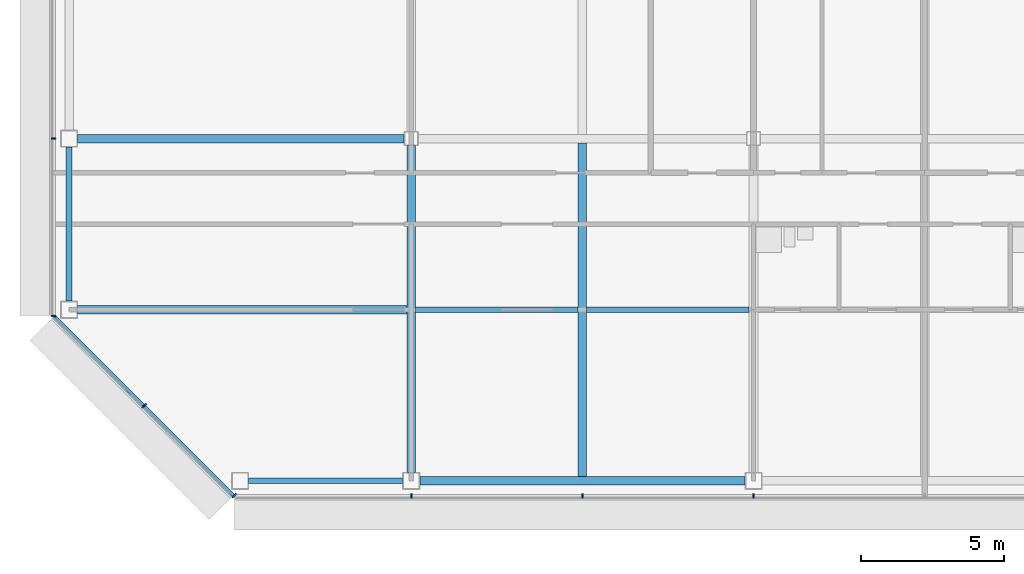
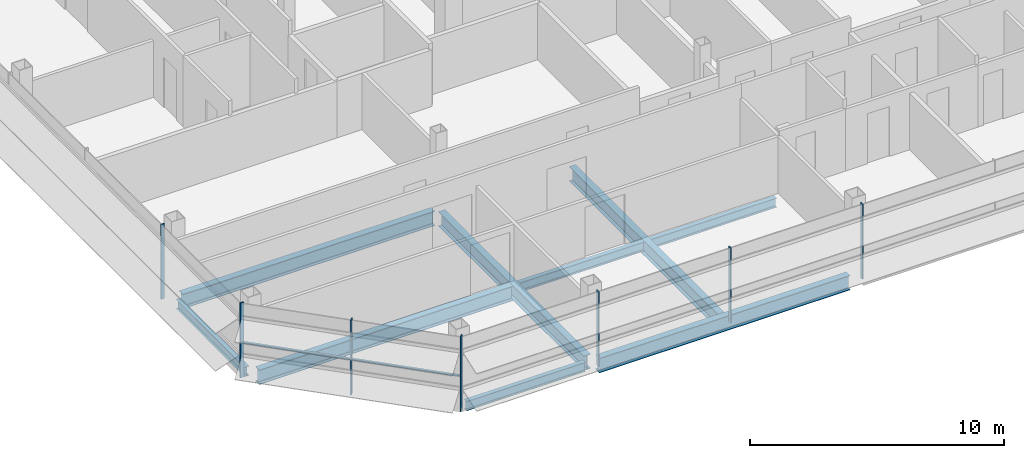
# One storey, part 3 of 28: 9 beams, 8 members, 3 elements without a shape of their own.
"""IFC4 building model written with IfcOpenShell, lengths in metres."""

import ifcopenshell
import ifcopenshell.guid

model = None  # the IFC model being written
_history = None  # IfcOwnerHistory: only IFC2X3 demands one
_inside = {}  # id of a spatial element -> (the spatial element, [elements in it])
_under = {}  # id of a project, library or spatial element -> (it, [spatial elements below it])
_declared = {}  # id of a project -> (the project, [libraries it declares])
_typed = {}  # id of a type object -> (the type object, [elements of that type])
_made_of = {}  # id of a material, layer set ... -> (it, [elements and type objects made of it])


def new_model(schema):
    """Start an empty IFC model of exactly this schema.

    Asked for "IFC4X3", IfcOpenShell would pick the latest addendum, in which some entities
    have other attributes; the version numbers below select the first issue.
    IFC2X3 requires an IfcOwnerHistory on every rooted entity: one is made here for all.
    """
    global model, _history
    if schema == "IFC4X3":
        model = ifcopenshell.file(schema_version=(4, 3, 0, 0))
    else:
        model = ifcopenshell.file(schema=schema)
    _inside.clear()
    _under.clear()
    _declared.clear()
    _typed.clear()
    _made_of.clear()
    _history = None
    if model.schema == "IFC2X3":
        org = make("IfcOrganization", Name="unknown")
        user = make(
            "IfcPersonAndOrganization",
            ThePerson=make("IfcPerson", FamilyName="unknown"),
            TheOrganization=org,
        )
        app = make(
            "IfcApplication",
            ApplicationDeveloper=org,
            Version="unknown",
            ApplicationFullName="unknown",
            ApplicationIdentifier="unknown",
        )
        _history = make(
            "IfcOwnerHistory",
            OwningUser=user,
            OwningApplication=app,
            ChangeAction="ADDED",
            CreationDate=0,
        )
    return model


def make(cls, **values):
    """One entity of the class cls with the attributes given. An attribute that is None is left unset."""
    return model.create_entity(
        cls, **{name: value for name, value in values.items() if value is not None}
    )


def rooted(cls, **values):
    """An entity with a GlobalId (a new one), such as an element, a storey or a relation."""
    return make(cls, GlobalId=ifcopenshell.guid.new(), OwnerHistory=_history, **values)


def si_unit(unit_type, name, prefix=None):
    """IfcSIUnit, for example si_unit("LENGTHUNIT", "METRE", prefix="MILLI")."""
    return make("IfcSIUnit", UnitType=unit_type, Prefix=prefix, Name=name)


def assignment(units):
    """IfcUnitAssignment: the units of a project."""
    return None if units is None else make("IfcUnitAssignment", Units=units)


def point(xyz):
    """IfcCartesianPoint."""
    return None if xyz is None else make("IfcCartesianPoint", Coordinates=xyz)


def direction(xyz):
    """IfcDirection."""
    return None if xyz is None else make("IfcDirection", DirectionRatios=xyz)


def frame(location, z_axis=None, x_axis=None):
    """IfcAxis2Placement3D, a coordinate frame: its origin and axes. An axis left out is left unset."""
    return make(
        "IfcAxis2Placement3D",
        Location=point(location),
        Axis=direction(z_axis),
        RefDirection=direction(x_axis),
    )


def frame_2d(location, x_axis=None):
    """IfcAxis2Placement2D, a coordinate frame in the plane: its origin and x axis."""
    return make(
        "IfcAxis2Placement2D", Location=point(location), RefDirection=direction(x_axis)
    )


def origin():
    """The frame at (0, 0, 0) with its axes left unset."""
    return frame((0.0, 0.0, 0.0))


def origin_2d():
    """The frame at (0, 0) in the plane with its x axis left unset."""
    return frame_2d((0.0, 0.0))


def place(relative_to, where):
    """IfcLocalPlacement: puts the frame where relative to a parent placement (None: the world)."""
    return make(
        "IfcLocalPlacement", PlacementRelTo=relative_to, RelativePlacement=where
    )


def context(
    kind, dimensions, precision=None, world=None, true_north=None, identifier=None
):
    """IfcGeometricRepresentationContext, for example the 3D "Model" context."""
    return make(
        "IfcGeometricRepresentationContext",
        ContextIdentifier=identifier,
        ContextType=kind,
        CoordinateSpaceDimension=dimensions,
        Precision=precision,
        WorldCoordinateSystem=world,
        TrueNorth=true_north,
    )


def subcontext(parent, identifier, kind, view, scale=None):
    """IfcGeometricRepresentationSubContext, for example "Body" below "Model"."""
    return make(
        "IfcGeometricRepresentationSubContext",
        ContextIdentifier=identifier,
        ContextType=kind,
        ParentContext=parent,
        TargetScale=scale,
        TargetView=view,
    )


def project(units=None, contexts=None):
    """IfcProject with its units and contexts."""
    return rooted(
        "IfcProject",
        Name="project",
        RepresentationContexts=contexts,
        UnitsInContext=assignment(units),
    )


def spatial(cls, under=None, at=None, **own):
    """A site, building, storey or space (cls), placed at a placement, below another one or the project."""
    s = rooted(cls, ObjectPlacement=at, **own)
    if under is not None:
        _under.setdefault(under.id(), (under, []))[1].append(s)
    return s


def profile(cls, at=None, kind="AREA", **sizes):
    """A parametric profile (cls). Its sizes go by their IFC names, for example OverallWidth=200.0."""
    return make(cls, ProfileType=kind, Position=at, **sizes)


def rectangle(**sizes):
    """IfcRectangleProfileDef."""
    return profile("IfcRectangleProfileDef", **sizes)


def i_section(**sizes):
    """IfcIShapeProfileDef."""
    return profile("IfcIShapeProfileDef", **sizes)


def extrude(swept, where, along, depth):
    """IfcExtrudedAreaSolid: the profile swept, set in the frame where, extruded along a direction by depth."""
    return make(
        "IfcExtrudedAreaSolid",
        SweptArea=swept,
        Position=where,
        ExtrudedDirection=direction(along),
        Depth=depth,
    )


def shape(context_of_items, identifier, shape_type, items):
    """IfcShapeRepresentation: the items that make up one representation, for example the "Body"."""
    return make(
        "IfcShapeRepresentation",
        ContextOfItems=context_of_items,
        RepresentationIdentifier=identifier,
        RepresentationType=shape_type,
        Items=items,
    )


def material(Name=None, Category=None):
    """IfcMaterial."""
    return make("IfcMaterial", Name=Name, Category=Category)


def material_profile(
    of_material, cross_section, Name=None, Category=None, Priority=None
):
    """IfcMaterialProfile: a cross section and its material."""
    return make(
        "IfcMaterialProfile",
        Name=Name,
        Material=of_material,
        Profile=cross_section,
        Priority=Priority,
        Category=Category,
    )


def profile_set(profiles, Name=None, composite=None):
    """IfcMaterialProfileSet."""
    return make(
        "IfcMaterialProfileSet",
        Name=Name,
        MaterialProfiles=profiles,
        CompositeProfile=composite,
    )


def made_of(thing, what):
    """Note that an element or type object is made of a material, layer set ...; save() writes the relation."""
    if what is not None:
        _made_of.setdefault(what.id(), (what, []))[1].append(thing)
    return thing


def type_object(cls, material=None, **own):
    """A type object (cls), such as IfcWallType, which elements share."""
    return made_of(rooted(cls, **own), material)


def element(
    cls,
    number,
    at=None,
    inside=None,
    cuts=None,
    type_object=None,
    material=None,
    context=None,
    identifier="Body",
    shape_type=None,
    held_by="IfcProductDefinitionShape",
    body=None,
    shapes=None,
    **own,
):
    """One element of the class cls, such as IfcWall. Its Tag is "e" and its number.

    at: its placement. inside: the storey or other place that contains it. cuts: it is an
    opening in that element (IfcRelVoidsElement). A single representation is given by context,
    identifier, shape_type and body (its items); several are given by shapes. held_by: the class
    of the entity that holds the representations. save() writes the other relations.
    """
    e = rooted(cls, Tag="e%d" % number, ObjectPlacement=at, **own)
    if body is not None:
        shapes = [shape(context, identifier, shape_type, body)]
    if shapes is not None:
        e.Representation = make(held_by, Representations=shapes)
    if inside is not None:
        _inside.setdefault(inside.id(), (inside, []))[1].append(e)
    if cuts is not None:
        rooted(
            "IfcRelVoidsElement", RelatingBuildingElement=cuts, RelatedOpeningElement=e
        )
    if type_object is not None:
        _typed.setdefault(type_object.id(), (type_object, []))[1].append(e)
    return made_of(e, material)


def aggregate(whole, parts):
    """IfcRelAggregates: a whole, such as a stair, and the parts it consists of."""
    return rooted("IfcRelAggregates", RelatingObject=whole, RelatedObjects=parts)


def save(model, path):
    """Write the relations noted so far, then the file.

    IfcRelAggregates (storeys below a building ...), IfcRelContainedInSpatialStructure (elements
    in a storey), IfcRelDefinesByType, IfcRelAssociatesMaterial and IfcRelDeclares: one each for
    every whole, place, type object, material and project.
    """
    for whole, parts in _under.values():
        aggregate(whole, parts)
    for where, things in _inside.values():
        rooted(
            "IfcRelContainedInSpatialStructure",
            RelatedElements=things,
            RelatingStructure=where,
        )
    for kind, things in _typed.values():
        rooted("IfcRelDefinesByType", RelatedObjects=things, RelatingType=kind)
    for what, things in _made_of.values():
        rooted("IfcRelAssociatesMaterial", RelatedObjects=things, RelatingMaterial=what)
    for by, libraries in _declared.values():
        rooted("IfcRelDeclares", RelatingContext=by, RelatedDefinitions=libraries)
    model.write(path)


model = new_model("IFC4")

# Units and contexts
model_context = context("Model", 3, precision=1e-05, world=origin(), true_north=direction((0.0, 1.0)))
body_context = subcontext(model_context, "Body", "Model", "MODEL_VIEW")
ifc_project = project(units=[si_unit("LENGTHUNIT", "METRE"), si_unit("AREAUNIT", "SQUARE_METRE"), si_unit("VOLUMEUNIT", "CUBIC_METRE"), si_unit("PLANEANGLEUNIT", "RADIAN"), si_unit("MASSUNIT", "GRAM", prefix="KILO")], contexts=[model_context])

# Site, building, storey
site_placement = place(None, origin())
site = spatial("IfcSite", under=ifc_project, at=site_placement, CompositionType="ELEMENT")
building_placement = place(site_placement, origin())
building = spatial("IfcBuilding", under=site, at=building_placement, Name="Sorahane Residences", CompositionType="ELEMENT")
storey_placement = place(building_placement, frame((0.0, 0.0, 250.39990234375)))
storey = spatial("IfcBuildingStorey", under=building, at=storey_placement, Name="L59", CompositionType="ELEMENT", Elevation=250.39990234375)

# Curtain wall, members
ifc_material_1 = material(Name="Dark low-e glass and black anodised aluminium", Category="aluminium")
curtain_wall_type_1 = type_object("IfcCurtainWallType", Name="Curtain wall CW-1 Typical unitised wall", PredefinedType="NOTDEFINED", material=ifc_material_1)
curtain_wall_1_placement = place(storey_placement, origin())
curtain_wall_1 = element("IfcCurtainWall", 1, at=curtain_wall_1_placement, inside=storey, type_object=curtain_wall_type_1, Name="CW-1 curtain wall L59 S1", PredefinedType="NOTDEFINED")
ifc_material_2 = material(Name="Black anodised aluminium", Category="aluminium")
ifc_material_profile_1 = material_profile(ifc_material_2, rectangle(XDim=0.159912109375, YDim=0.050048828125, at=origin_2d()), Name="Curtain wall mullion CW-1 black anodised aluminium 50x160")
ifc_profile_set_1 = profile_set([ifc_material_profile_1], Name="Black anodised aluminium")
member_type_1 = type_object("IfcMemberType", Name="Curtain wall mullion CW-1 black anodised aluminium 50x160", PredefinedType="MULLION", material=ifc_profile_set_1)
member_1_placement = place(storey_placement, frame((0.0, -0.5400390625, -0.179931640625), z_axis=(0.0, 0.0, 1.0), x_axis=(0.0, -1.0, 0.0)))
member_1 = element("IfcMember", 2, at=member_1_placement, type_object=member_type_1, Name="CW-1 mullion L59 S1.2", PredefinedType="MULLION", context=body_context, shape_type="SweptSolid", body=[
    extrude(rectangle(XDim=0.159912109375, YDim=0.050048828125, at=origin_2d()), origin(), (0.0, 0.0, 1.0), 3.60009765625),
])
member_2_placement = place(storey_placement, frame((6.0, -0.5400390625, -0.179931640625), z_axis=(0.0, 0.0, 1.0), x_axis=(0.0, -1.0, 0.0)))
member_2 = element("IfcMember", 3, at=member_2_placement, type_object=member_type_1, Name="CW-1 mullion L59 S1.3", PredefinedType="MULLION", context=body_context, shape_type="SweptSolid", body=[
    extrude(rectangle(XDim=0.159912109375, YDim=0.050048828125, at=origin_2d()), origin(), (0.0, 0.0, 1.0), 3.60009765625),
])
member_3_placement = place(storey_placement, frame((12.0, -0.5400390625, -0.179931640625), z_axis=(0.0, 0.0, 1.0), x_axis=(0.0, -1.0, 0.0)))
member_3 = element("IfcMember", 4, at=member_3_placement, type_object=member_type_1, Name="CW-1 mullion L59 S1.4", PredefinedType="MULLION", context=body_context, shape_type="SweptSolid", body=[
    extrude(rectangle(XDim=0.159912109375, YDim=0.050048828125, at=origin_2d()), origin(), (0.0, 0.0, 1.0), 3.60009765625),
])
aggregate(curtain_wall_1, [member_1, member_2, member_3])

curtain_wall_2_placement = place(storey_placement, origin())
curtain_wall_2 = element("IfcCurtainWall", 5, at=curtain_wall_2_placement, inside=storey, type_object=curtain_wall_type_1, Name="CW-1 curtain wall L59 W1", PredefinedType="NOTDEFINED")
member_4_placement = place(storey_placement, frame((-12.5400390625, 12.0, -0.179931640625), z_axis=(0.0, 0.0, 1.0), x_axis=(-1.0, 0.0, 0.0)))
member_4 = element("IfcMember", 6, at=member_4_placement, type_object=member_type_1, Name="CW-1 mullion L59 W1.6", PredefinedType="MULLION", context=body_context, shape_type="SweptSolid", body=[
    extrude(rectangle(XDim=0.159912109375, YDim=0.050048828125, at=origin_2d()), origin(), (0.0, 0.0, 1.0), 3.60009765625),
])
member_5_placement = place(storey_placement, frame((-12.5400390625, 5.7763671875, -0.179931640625), z_axis=(0.0, 0.0, 1.0), x_axis=(-1.0, 0.0, 0.0)))
member_5 = element("IfcMember", 7, at=member_5_placement, type_object=member_type_1, Name="CW-1 mullion L59 W1.7", PredefinedType="MULLION", context=body_context, shape_type="SweptSolid", body=[
    extrude(rectangle(XDim=0.159912109375, YDim=0.050048828125, at=origin_2d()), origin(), (0.0, 0.0, 1.0), 3.60009765625),
])
aggregate(curtain_wall_2, [member_4, member_5])

ifc_material_3 = material(Name="Dark low-e glass and black anodised aluminium", Category="aluminium")
curtain_wall_type_2 = type_object("IfcCurtainWallType", Name="Curtain wall CW-2 Chamfer unitised wall", PredefinedType="NOTDEFINED", material=ifc_material_3)
curtain_wall_3_placement = place(storey_placement, origin())
curtain_wall_3 = element("IfcCurtainWall", 8, at=curtain_wall_3_placement, inside=storey, type_object=curtain_wall_type_2, Name="CW-2 curtain wall L59 SW1", PredefinedType="NOTDEFINED")
ifc_material_4 = material(Name="Black anodised aluminium", Category="aluminium")
ifc_material_profile_2 = material_profile(ifc_material_4, rectangle(XDim=0.199951171875, YDim=0.050048828125, at=origin_2d()), Name="Curtain wall mullion CW-2 black anodised aluminium 50x200")
ifc_profile_set_2 = profile_set([ifc_material_profile_2], Name="Black anodised aluminium")
member_type_2 = type_object("IfcMemberType", Name="Curtain wall mullion CW-2 black anodised aluminium 50x200", PredefinedType="MULLION", material=ifc_profile_set_2)
member_6_placement = place(storey_placement, frame((-9.36767578125, 2.63232421875, -0.179931640625), z_axis=(0.0, 0.0, 1.0), x_axis=(-0.707106781187, -0.707106781187, 0.0)))
member_6 = element("IfcMember", 9, at=member_6_placement, type_object=member_type_2, Name="CW-2 mullion L59 SW1.2", PredefinedType="MULLION", context=body_context, shape_type="SweptSolid", body=[
    extrude(rectangle(XDim=0.199951171875, YDim=0.050048828125, at=origin_2d()), origin(), (0.0, 0.0, 1.0), 3.60009765625),
])
member_7_placement = place(storey_placement, frame((-6.209716796875, -0.525634765625, -0.179931640625), z_axis=(0.0, 0.0, 1.0), x_axis=(-0.707106781187, -0.707106781187, 0.0)))
member_7 = element("IfcMember", 10, at=member_7_placement, type_object=member_type_2, Name="CW-2 mullion L59 SW1.3", PredefinedType="MULLION", context=body_context, shape_type="SweptSolid", body=[
    extrude(rectangle(XDim=0.199951171875, YDim=0.050048828125, at=origin_2d()), origin(), (0.0, 0.0, 1.0), 3.60009765625),
])
ifc_material_5 = material(Name="Black anodised aluminium", Category="aluminium")
ifc_material_profile_3 = material_profile(ifc_material_5, rectangle(XDim=0.10009765625, YDim=0.06005859375, at=origin_2d()), Name="Curtain wall transom CW-2 black anodised aluminium 60x100")
ifc_profile_set_3 = profile_set([ifc_material_profile_3], Name="Black anodised aluminium")
member_type_3 = type_object("IfcMemberType", Name="Curtain wall transom CW-2 black anodised aluminium 60x100", PredefinedType="USERDEFINED", material=ifc_profile_set_3)
member_8_placement = place(storey_placement, frame((-12.51513671875, 5.765625, 1.5), z_axis=(0.707106781187, -0.707106781187, 0.0), x_axis=(0.707106781187, 0.707106781187, 0.0)))
member_8 = element("IfcMember", 11, at=member_8_placement, type_object=member_type_3, Name="CW-2 transom L59 SW1", ObjectType="TRANSOM", PredefinedType="USERDEFINED", context=body_context, shape_type="SweptSolid", body=[
    extrude(rectangle(XDim=0.10009765625, YDim=0.06005859375, at=origin_2d()), origin(), (0.0, 0.0, 1.0), 8.88232421875),
])
aggregate(curtain_wall_3, [member_6, member_7, member_8])

# Beams
ifc_material_6 = material(Name="Steel Q355B", Category="steel")
ifc_material_profile_4 = material_profile(ifc_material_6, i_section(OverallWidth=0.199951171875, OverallDepth=0.449951171875, WebThickness=0.009033203125, FlangeThickness=0.013916015625, FilletRadius=0.02001953125, at=origin_2d()), Name="HN 450x200x9x14")
ifc_profile_set_4 = profile_set([ifc_material_profile_4], Name="Steel Q355B")
beam_type_1 = type_object("IfcBeamType", Name="Steel floor beam HN 450x200x9x14 Q355B", PredefinedType="BEAM", material=ifc_profile_set_4)
for number, where, z_axis, x_axis, name in (
    (12, (-5.699951171875, 0.0, -0.40478515625), (1.0, 0.0, 0.0), (0.0, 1.0, 0.0), "Beam L59 000"),
    (13, (-12.0, 6.300048828125, -0.40478515625), (0.0, 1.0, 0.0), (-1.0, 0.0, 0.0), "Beam L59 020"),
):
    element("IfcBeam", number, at=place(storey_placement, frame(where, z_axis=z_axis, x_axis=x_axis)), inside=storey, type_object=beam_type_1, Name=name, PredefinedType="BEAM", context=body_context, shape_type="SweptSolid", body=[
        extrude(i_section(OverallWidth=0.199951171875, OverallDepth=0.449951171875, WebThickness=0.009033203125, FlangeThickness=0.013916015625, FilletRadius=0.02001953125, at=origin_2d()), origin(), (0.0, 0.0, 1.0), 5.39990234375),
    ])
for number, where, z_axis, x_axis, name in (
    (14, (0.14990234375, 6.0, -0.40478515625), (1.0, 0.0, 0.0), (0.0, 1.0, 0.0), "Beam L59 069"),
    (15, (6.14990234375, 6.0, -0.40478515625), (1.0, 0.0, 0.0), (0.0, 1.0, 0.0), "Beam L59 070"),
):
    element("IfcBeam", number, at=place(storey_placement, frame(where, z_axis=z_axis, x_axis=x_axis)), inside=storey, type_object=beam_type_1, Name=name, PredefinedType="BEAM", context=body_context, shape_type="SweptSolid", body=[
        extrude(i_section(OverallWidth=0.199951171875, OverallDepth=0.449951171875, WebThickness=0.009033203125, FlangeThickness=0.013916015625, FilletRadius=0.02001953125, at=origin_2d()), origin(), (0.0, 0.0, 1.0), 5.7001953125),
    ])
ifc_material_7 = material(Name="Steel Q355B", Category="steel")
ifc_material_profile_5 = material_profile(ifc_material_7, i_section(OverallWidth=0.300048828125, OverallDepth=0.699951171875, WebThickness=0.012939453125, FlangeThickness=0.02392578125, FilletRadius=0.028076171875, at=origin_2d()), Name="HN 700x300x13x24")
ifc_profile_set_5 = profile_set([ifc_material_profile_5], Name="Steel Q355B")
beam_type_2 = type_object("IfcBeamType", Name="Steel floor beam HN 700x300x13x24 Q355B", PredefinedType="BEAM", material=ifc_profile_set_5)
beam_1_placement = place(storey_placement, frame((0.300048828125, 0.0, -0.52978515625), z_axis=(1.0, 0.0, 0.0), x_axis=(0.0, 1.0, 0.0)))
element("IfcBeam", 16, at=beam_1_placement, inside=storey, type_object=beam_type_2, Name="Beam L59 001", PredefinedType="BEAM", context=body_context, shape_type="SweptSolid", body=[
    extrude(i_section(OverallWidth=0.300048828125, OverallDepth=0.699951171875, WebThickness=0.012939453125, FlangeThickness=0.02392578125, FilletRadius=0.028076171875, at=origin_2d()), origin(), (0.0, 0.0, 1.0), 11.39990234375),
])
for number, where, z_axis, x_axis, name in (
    (17, (-11.699951171875, 12.0, -0.52978515625), (1.0, 0.0, 0.0), (0.0, 1.0, 0.0), "Beam L59 005"),
    (18, (0.0, 0.300048828125, -0.52978515625), (0.0, 1.0, 0.0), (-1.0, 0.0, 0.0), "Beam L59 024"),
):
    element("IfcBeam", number, at=place(storey_placement, frame(where, z_axis=z_axis, x_axis=x_axis)), inside=storey, type_object=beam_type_2, Name=name, PredefinedType="BEAM", context=body_context, shape_type="SweptSolid", body=[
        extrude(i_section(OverallWidth=0.300048828125, OverallDepth=0.699951171875, WebThickness=0.012939453125, FlangeThickness=0.02392578125, FilletRadius=0.028076171875, at=origin_2d()), origin(), (0.0, 0.0, 1.0), 11.449951171875),
    ])
beam_2_placement = place(storey_placement, frame((6.0, 0.14990234375, -0.52978515625), z_axis=(0.0, 1.0, 0.0), x_axis=(-1.0, 0.0, 0.0)))
element("IfcBeam", 19, at=beam_2_placement, inside=storey, type_object=beam_type_2, Name="Beam L59 028", PredefinedType="BEAM", context=body_context, shape_type="SweptSolid", body=[
    extrude(i_section(OverallWidth=0.300048828125, OverallDepth=0.699951171875, WebThickness=0.012939453125, FlangeThickness=0.02392578125, FilletRadius=0.028076171875, at=origin_2d()), origin(), (0.0, 0.0, 1.0), 11.7001953125),
])
beam_3_placement = place(storey_placement, frame((-11.699951171875, 6.0, -0.52978515625), z_axis=(1.0, 0.0, 0.0), x_axis=(0.0, 1.0, 0.0)))
element("IfcBeam", 20, at=beam_3_placement, inside=storey, type_object=beam_type_2, Name="Beam L59 068", PredefinedType="BEAM", context=body_context, shape_type="SweptSolid", body=[
    extrude(i_section(OverallWidth=0.300048828125, OverallDepth=0.699951171875, WebThickness=0.012939453125, FlangeThickness=0.02392578125, FilletRadius=0.028076171875, at=origin_2d()), origin(), (0.0, 0.0, 1.0), 11.550048828125),
])

save(model, "model.ifc")
